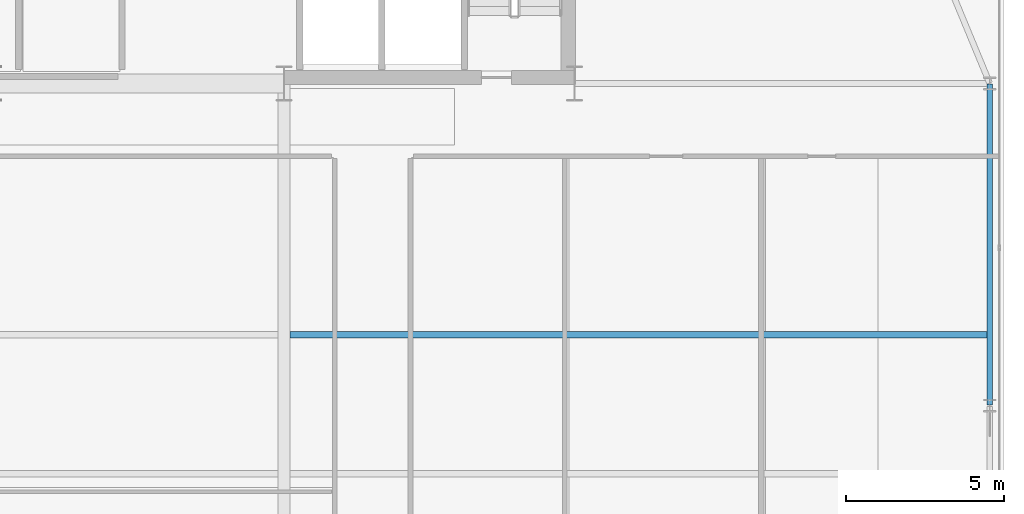
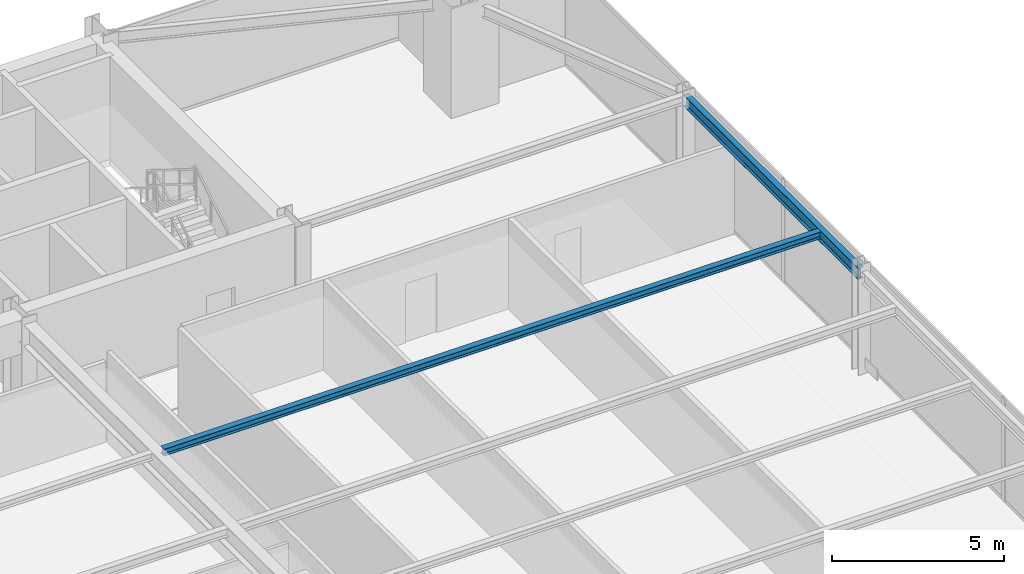
# One storey, part 19 of 32: 2 beams.
"""IFC4 building model written with IfcOpenShell, lengths in metres."""

from ifc_helpers import new_model, si_unit, direction, frame, origin, origin_2d, place, context, subcontext, project, spatial, i_section, extrude, source, transform, mapped, material, material_profile, profile_set, type_object, type_shapes, element, save


model = new_model("IFC4")

# Units and contexts
model_context = context("Model", 3, precision=1e-05, world=origin(), true_north=direction((0.0, 1.0)))
body_context = subcontext(model_context, "Body", "Model", "MODEL_VIEW")
ifc_project = project(units=[si_unit("LENGTHUNIT", "METRE"), si_unit("AREAUNIT", "SQUARE_METRE"), si_unit("VOLUMEUNIT", "CUBIC_METRE"), si_unit("PLANEANGLEUNIT", "RADIAN"), si_unit("MASSUNIT", "GRAM", prefix="KILO")], contexts=[model_context])

# Site, building, storey
site_placement = place(None, origin())
site = spatial("IfcSite", under=ifc_project, at=site_placement, CompositionType="ELEMENT")
building_placement = place(site_placement, origin())
building = spatial("IfcBuilding", under=site, at=building_placement, Name="Varnel Quay Broadcast Tower", CompositionType="ELEMENT")
storey_placement = place(building_placement, frame((0.0, 0.0, 70.5)))
storey = spatial("IfcBuildingStorey", under=building, at=storey_placement, Name="L16", CompositionType="ELEMENT", Elevation=70.5)

# Beams
ifc_material = material(Name="Structural Steel CSA G40.21 350W", Category="steel")
ifc_material_profile_1 = material_profile(ifc_material, i_section(OverallWidth=0.180908203125, OverallDepth=0.4169921875, WebThickness=0.010986328125, FlangeThickness=0.018310546875, FilletRadius=0.011962890625, at=origin_2d()), Name="W410X85")
ifc_profile_set_1 = profile_set([ifc_material_profile_1], Name="Structural Steel CSA G40.21 350W")
beam_type_1 = type_object("IfcBeamType", Name="Beam_W410X85", PredefinedType="SPANDREL", material=ifc_profile_set_1)
shared_shape_1 = source(origin(), body_context, "Body", "SweptSolid", [
    extrude(i_section(OverallWidth=0.180908203125, OverallDepth=0.4169921875, WebThickness=0.010986328125, FlangeThickness=0.018310546875, FilletRadius=0.011962890625, at=origin_2d()), origin(), (0.0, 0.0, 1.0), 10.16015625),
])
type_shapes(beam_type_1, [shared_shape_1])
beam_1_placement = place(storey_placement, frame((65.550048828125, 25.419921875, 3.44140625), z_axis=(0.0, 1.0, 0.0), x_axis=(-1.0, 0.0, 0.0)))
element("IfcBeam", 1, at=beam_1_placement, inside=storey, type_object=beam_type_1, Name="L16 East Spandrel TC-E2-TC-E3", PredefinedType="SPANDREL", context=body_context, shape_type="MappedRepresentation", body=[
    mapped(shared_shape_1, transform((0.0, 0.0, 0.0), x_axis=(1.0, 0.0, 0.0), y_axis=(0.0, 1.0, 0.0), z_axis=(0.0, 0.0, 1.0), scale=1.0)),
])
ifc_material_profile_2 = material_profile(ifc_material, i_section(OverallWidth=0.201904296875, OverallDepth=0.2470703125, WebThickness=0.00732421875, FlangeThickness=0.010986328125, FilletRadius=0.010986328125, at=origin_2d()), Name="W250X49")
ifc_profile_set_2 = profile_set([ifc_material_profile_2], Name="Structural Steel CSA G40.21 350W")
beam_type_2 = type_object("IfcBeamType", Name="Beam_W250X49", PredefinedType="JOIST", material=ifc_profile_set_2)
shared_shape_2 = source(origin(), body_context, "Body", "SweptSolid", [
    extrude(i_section(OverallWidth=0.201904296875, OverallDepth=0.2470703125, WebThickness=0.00732421875, FlangeThickness=0.010986328125, FilletRadius=0.010986328125, at=origin_2d()), origin(), (0.0, 0.0, 1.0), 22.0791015625),
])
type_shapes(beam_type_2, [shared_shape_2])
beam_2_placement = place(storey_placement, frame((43.385498046875, 27.64990234375, 3.526611328125), z_axis=(1.0, 0.0, 0.0), x_axis=(0.0, 1.0, 0.0)))
element("IfcBeam", 2, at=beam_2_placement, inside=storey, type_object=beam_type_2, Name="L16 East Floor Joist 6", PredefinedType="JOIST", context=body_context, shape_type="MappedRepresentation", body=[
    mapped(shared_shape_2, transform((0.0, 0.0, 0.0), x_axis=(1.0, 0.0, 0.0), y_axis=(0.0, 1.0, 0.0), z_axis=(0.0, 0.0, 1.0), scale=1.0)),
])

save(model, "model.ifc")
